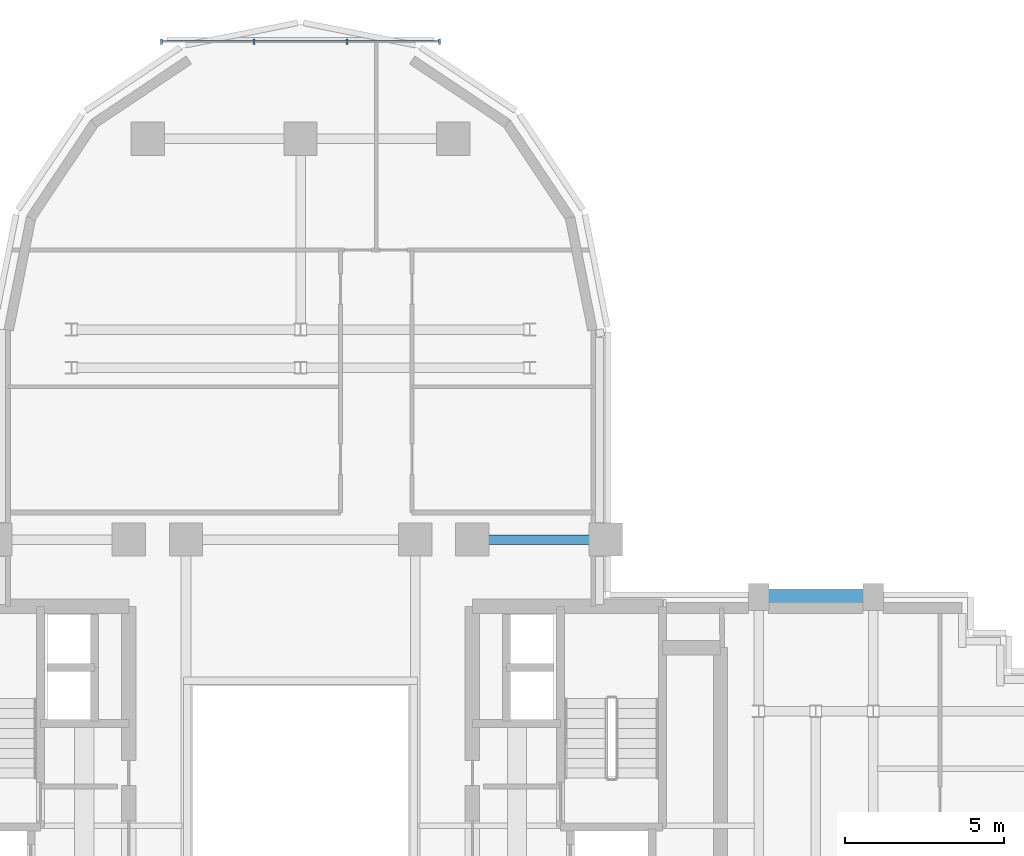
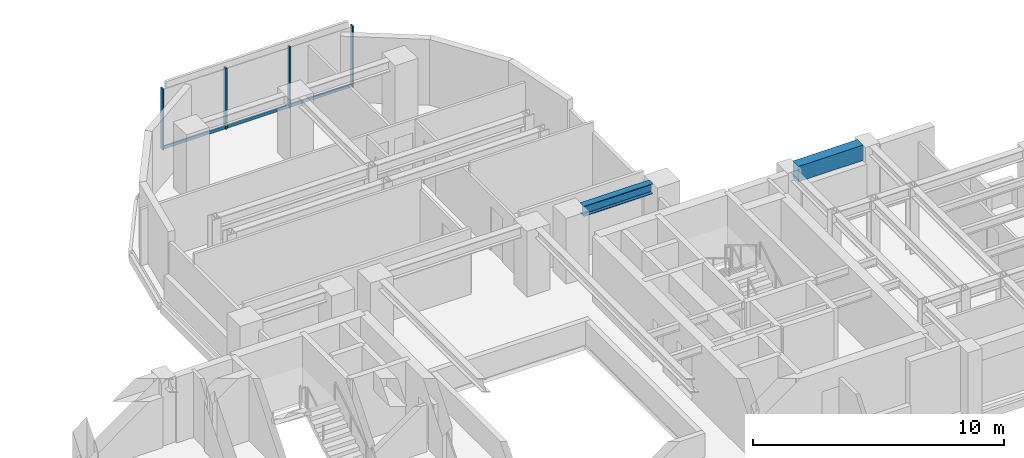
# One storey, part 5 of 13: 7 members, 2 beams, 1 element without a shape of its own.
"""IFC4 building model written with IfcOpenShell, lengths in metres."""

from ifc_helpers import new_model, si_unit, direction, frame, origin, origin_2d, place, context, subcontext, project, spatial, rectangle, i_section, extrude, source, transform, mapped, material, material_profile, profile_set, type_object, element, aggregate, save


model = new_model("IFC4")

# Units and contexts
model_context = context("Model", 3, precision=1e-05, world=origin(), true_north=direction((0.0, 1.0)))
body_context = subcontext(model_context, "Body", "Model", "MODEL_VIEW")
ifc_project = project(units=[si_unit("LENGTHUNIT", "METRE"), si_unit("AREAUNIT", "SQUARE_METRE"), si_unit("VOLUMEUNIT", "CUBIC_METRE"), si_unit("PLANEANGLEUNIT", "RADIAN"), si_unit("MASSUNIT", "GRAM", prefix="KILO")], contexts=[model_context])

# Site, building, storey
site_placement = place(None, origin())
site = spatial("IfcSite", under=ifc_project, at=site_placement, CompositionType="ELEMENT")
building_placement = place(site_placement, origin())
building = spatial("IfcBuilding", under=site, at=building_placement, Name="Keilestroom Media Tower", CompositionType="ELEMENT")
storey_placement = place(building_placement, frame((0.0, 0.0, 107.39990234375)))
storey = spatial("IfcBuildingStorey", under=building, at=storey_placement, Name="L28", CompositionType="ELEMENT", Elevation=107.39990234375)

# Beams
ifc_material_1 = material(Name="Steel S355", Category="steel")
ifc_material_profile_1 = material_profile(ifc_material_1, i_section(OverallWidth=0.300048828125, OverallDepth=0.5, WebThickness=0.012451171875, FlangeThickness=0.028076171875, at=origin_2d()), Name="HEB 500")
ifc_profile_set_1 = profile_set([ifc_material_profile_1], Name="Steel S355")
beam_type_1 = type_object("IfcBeamType", Name="Primary-Structural-Girder-HEB-500", PredefinedType="BEAM", material=ifc_profile_set_1)
shared_shape_1 = source(origin(), body_context, "Body", "SweptSolid", [
    extrude(i_section(OverallWidth=0.300048828125, OverallDepth=0.5, WebThickness=0.012451171875, FlangeThickness=0.028076171875, at=origin_2d()), origin(), (0.0, 0.0, 1.0), 3.18994140625),
])
beam_1_placement = place(storey_placement, frame((5.905029296875, 9.0, 2.9501953125), z_axis=(1.0, 0.0, 0.0), x_axis=(0.0, 1.0, 0.0)))
element("IfcBeam", 1, at=beam_1_placement, inside=storey, type_object=beam_type_1, Name="L28 Beam BG-6 BM-L28-EW-032", PredefinedType="BEAM", context=body_context, shape_type="MappedRepresentation", body=[
    mapped(shared_shape_1, transform((0.0, 0.0, 0.0), x_axis=(1.0, 0.0, 0.0), y_axis=(0.0, 1.0, 0.0), z_axis=(0.0, 0.0, 1.0), scale=1.0)),
])
ifc_material_2 = material(Name="Precast concrete C40/50", Category="concrete")
ifc_material_profile_2 = material_profile(ifc_material_2, rectangle(XDim=0.449951171875, YDim=0.75, at=origin_2d()), Name="PC 450x750")
ifc_profile_set_2 = profile_set([ifc_material_profile_2], Name="Precast concrete C40/50")
beam_type_2 = type_object("IfcBeamType", Name="Perimeter-Spandrel-Beam-PC-450x750", PredefinedType="SPANDREL", material=ifc_profile_set_2)
shared_shape_2 = source(origin(), body_context, "Body", "SweptSolid", [
    extrude(rectangle(XDim=0.449951171875, YDim=0.75, at=origin_2d()), origin(), (0.0, 0.0, 1.0), 2.989990234375),
])
beam_2_placement = place(storey_placement, frame((14.705078125, 7.199951171875, 2.8251953125), z_axis=(1.0, 0.0, 0.0), x_axis=(0.0, 1.0, 0.0)))
element("IfcBeam", 2, at=beam_2_placement, inside=storey, type_object=beam_type_2, Name="L28 Beam SPB-1 BM-L28-EW-027", PredefinedType="SPANDREL", context=body_context, shape_type="MappedRepresentation", body=[
    mapped(shared_shape_2, transform((0.0, 0.0, 0.0), x_axis=(1.0, 0.0, 0.0), y_axis=(0.0, 1.0, 0.0), z_axis=(0.0, 0.0, 1.0), scale=1.0)),
])

# Curtain wall, members
ifc_material_3 = material(Name="Anodised Aluminium Alloy", Category="aluminium")
curtain_wall_type = type_object("IfcCurtainWallType", Name="Unitised-Curtain-Wall-CW-6", PredefinedType="NOTDEFINED", material=ifc_material_3)
curtain_wall_placement = place(storey_placement, origin())
curtain_wall = element("IfcCurtainWall", 3, at=curtain_wall_placement, inside=storey, type_object=curtain_wall_type, Name="L28 Curtain Wall CW-6 CW-L28-LN-1", PredefinedType="NOTDEFINED")
ifc_material_profile_3 = material_profile(ifc_material_3, rectangle(XDim=0.06494140625, YDim=0.179931640625, at=origin_2d()), Name="ALU MULLION 65x180")
ifc_profile_set_3 = profile_set([ifc_material_profile_3], Name="Anodised Aluminium Alloy")
member_type_1 = type_object("IfcMemberType", Name="Curtain-Wall-Mullion-CW-6", PredefinedType="MULLION", material=ifc_profile_set_3)
shared_shape_3 = source(origin(), body_context, "Body", "SweptSolid", [
    extrude(rectangle(XDim=0.06494140625, YDim=0.179931640625, at=origin_2d()), origin(), (0.0, 0.0, 1.0), 2.97998046875),
])
member_1_placement = place(storey_placement, frame((-4.367431640625, 24.64990234375, 0.0), z_axis=(0.0, 0.0, 1.0), x_axis=(1.0, 0.0, 0.0)))
member_1 = element("IfcMember", 4, at=member_1_placement, type_object=member_type_1, Name="CW-6 Mullion 00", PredefinedType="MULLION", context=body_context, shape_type="MappedRepresentation", body=[
    mapped(shared_shape_3, transform((0.0, 0.0, 0.0), x_axis=(1.0, 0.0, 0.0), y_axis=(0.0, 1.0, 0.0), z_axis=(0.0, 0.0, 1.0), scale=1.0)),
])
member_2_placement = place(storey_placement, frame((-1.466796875, 24.64990234375, 0.0), z_axis=(0.0, 0.0, 1.0), x_axis=(1.0, 0.0, 0.0)))
member_2 = element("IfcMember", 5, at=member_2_placement, type_object=member_type_1, Name="CW-6 Mullion 01", PredefinedType="MULLION", context=body_context, shape_type="MappedRepresentation", body=[
    mapped(shared_shape_3, transform((0.0, 0.0, 0.0), x_axis=(1.0, 0.0, 0.0), y_axis=(0.0, 1.0, 0.0), z_axis=(0.0, 0.0, 1.0), scale=1.0)),
])
member_3_placement = place(storey_placement, frame((1.466796875, 24.64990234375, 0.0), z_axis=(0.0, 0.0, 1.0), x_axis=(1.0, 0.0, 0.0)))
member_3 = element("IfcMember", 6, at=member_3_placement, type_object=member_type_1, Name="CW-6 Mullion 02", PredefinedType="MULLION", context=body_context, shape_type="MappedRepresentation", body=[
    mapped(shared_shape_3, transform((0.0, 0.0, 0.0), x_axis=(1.0, 0.0, 0.0), y_axis=(0.0, 1.0, 0.0), z_axis=(0.0, 0.0, 1.0), scale=1.0)),
])
member_4_placement = place(storey_placement, frame((4.367431640625, 24.64990234375, 0.0), z_axis=(0.0, 0.0, 1.0), x_axis=(1.0, 0.0, 0.0)))
member_4 = element("IfcMember", 7, at=member_4_placement, type_object=member_type_1, Name="CW-6 Mullion 03", PredefinedType="MULLION", context=body_context, shape_type="MappedRepresentation", body=[
    mapped(shared_shape_3, transform((0.0, 0.0, 0.0), x_axis=(1.0, 0.0, 0.0), y_axis=(0.0, 1.0, 0.0), z_axis=(0.0, 0.0, 1.0), scale=1.0)),
])
ifc_material_profile_4 = material_profile(ifc_material_3, rectangle(XDim=0.06494140625, YDim=0.14990234375, at=origin_2d()), Name="ALU TRANSOM 65x150")
ifc_profile_set_4 = profile_set([ifc_material_profile_4], Name="Anodised Aluminium Alloy")
member_type_2 = type_object("IfcMemberType", Name="Curtain-Wall-Transom-CW-6", PredefinedType="USERDEFINED", material=ifc_profile_set_4)
shared_shape_4 = source(origin(), body_context, "Body", "SweptSolid", [
    extrude(rectangle(XDim=0.06494140625, YDim=0.14990234375, at=origin_2d()), origin(), (0.0, 0.0, 1.0), 2.839599609375),
])
member_5_placement = place(storey_placement, frame((-4.3369140625, 24.64990234375, 0.0751953125), z_axis=(1.0, 0.0, 0.0), x_axis=(0.0, 1.0, 0.0)))
member_5 = element("IfcMember", 8, at=member_5_placement, type_object=member_type_2, Name="CW-6 Transom 00.1", ObjectType="TRANSOM", PredefinedType="USERDEFINED", context=body_context, shape_type="MappedRepresentation", body=[
    mapped(shared_shape_4, transform((0.0, 0.0, 0.0), x_axis=(1.0, 0.0, 0.0), y_axis=(0.0, 1.0, 0.0), z_axis=(0.0, 0.0, 1.0), scale=1.0)),
])
member_6_placement = place(storey_placement, frame((1.497314453125, 24.64990234375, 0.0751953125), z_axis=(1.0, 0.0, 0.0), x_axis=(0.0, 1.0, 0.0)))
member_6 = element("IfcMember", 9, at=member_6_placement, type_object=member_type_2, Name="CW-6 Transom 02.1", ObjectType="TRANSOM", PredefinedType="USERDEFINED", context=body_context, shape_type="MappedRepresentation", body=[
    mapped(shared_shape_4, transform((0.0, 0.0, 0.0), x_axis=(1.0, 0.0, 0.0), y_axis=(0.0, 1.0, 0.0), z_axis=(0.0, 0.0, 1.0), scale=1.0)),
])
shared_shape_5 = source(origin(), body_context, "Body", "SweptSolid", [
    extrude(rectangle(XDim=0.06494140625, YDim=0.14990234375, at=origin_2d()), origin(), (0.0, 0.0, 1.0), 2.87255859375),
])
member_7_placement = place(storey_placement, frame((-1.436279296875, 24.64990234375, 0.0751953125), z_axis=(1.0, 0.0, 0.0), x_axis=(0.0, 1.0, 0.0)))
member_7 = element("IfcMember", 10, at=member_7_placement, type_object=member_type_2, Name="CW-6 Transom 01.1", ObjectType="TRANSOM", PredefinedType="USERDEFINED", context=body_context, shape_type="MappedRepresentation", body=[
    mapped(shared_shape_5, transform((0.0, 0.0, 0.0), x_axis=(1.0, 0.0, 0.0), y_axis=(0.0, 1.0, 0.0), z_axis=(0.0, 0.0, 1.0), scale=1.0)),
])
aggregate(curtain_wall, [member_1, member_2, member_3, member_4, member_5, member_7, member_6])

save(model, "model.ifc")
